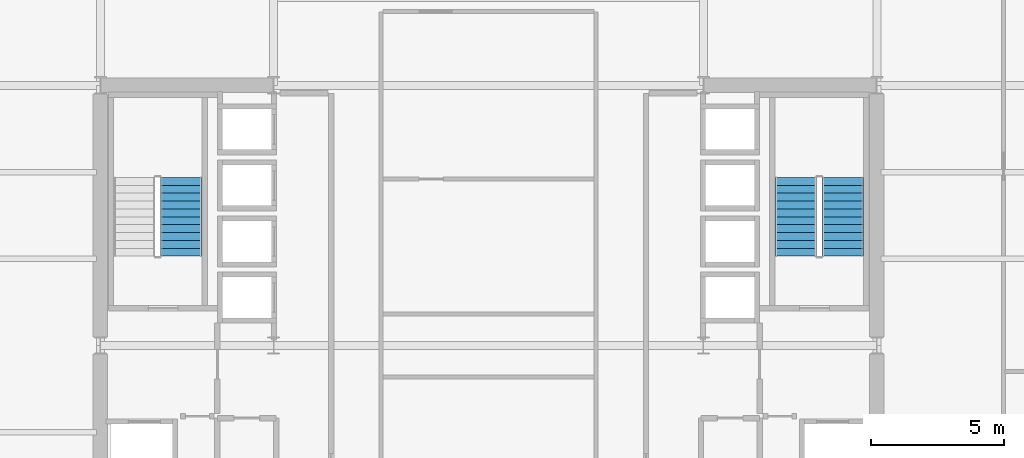
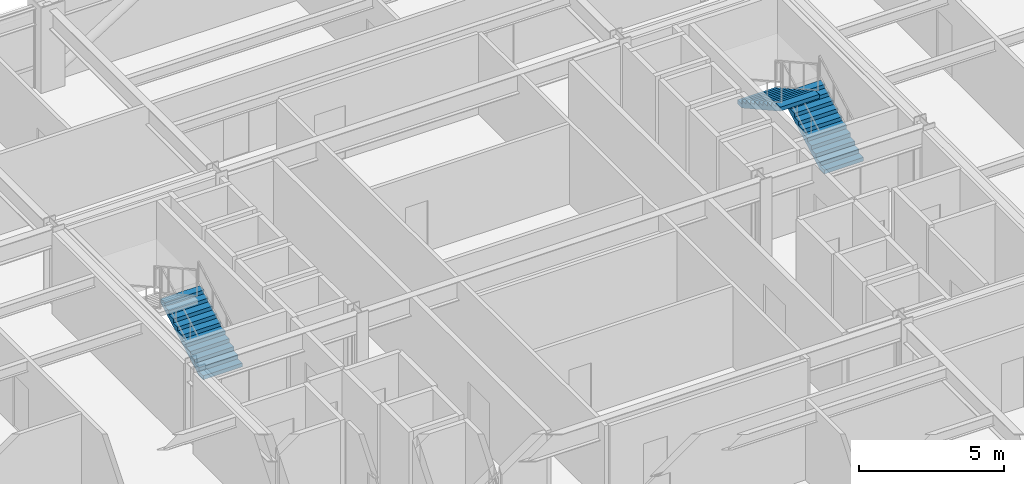
# One storey, part 31 of 34: 3 stair flights, 2 elements without a shape of their own.
"""IFC4 building model written with IfcOpenShell, lengths in metres."""

from ifc_helpers import new_model, si_unit, direction, frame, origin, place, context, subcontext, project, spatial, polyline, outline, extrude, material, type_object, element, aggregate, save


model = new_model("IFC4")

# Units and contexts
model_context = context("Model", 3, precision=1e-05, world=origin(), true_north=direction((0.0, 1.0)))
body_context = subcontext(model_context, "Body", "Model", "MODEL_VIEW")
ifc_project = project(units=[si_unit("LENGTHUNIT", "METRE"), si_unit("AREAUNIT", "SQUARE_METRE"), si_unit("VOLUMEUNIT", "CUBIC_METRE"), si_unit("PLANEANGLEUNIT", "RADIAN"), si_unit("MASSUNIT", "GRAM", prefix="KILO")], contexts=[model_context])

# Site, building, storey
site_placement = place(None, origin())
site = spatial("IfcSite", under=ifc_project, at=site_placement, CompositionType="ELEMENT")
building_placement = place(site_placement, origin())
building = spatial("IfcBuilding", under=site, at=building_placement, Name="Brelmoor Portico Tower", CompositionType="ELEMENT")
storey_placement = place(building_placement, frame((0.0, 0.0, 45.60009765625)))
storey = spatial("IfcBuildingStorey", under=building, at=storey_placement, Name="L11", CompositionType="ELEMENT", Elevation=45.60009765625)

# Stair, stair flight
ifc_material = material(Name="Concrete C40", Category="concrete")
stair_type_1 = type_object("IfcStairType", Name="ST-CORE-W", PredefinedType="HALF_TURN_STAIR", material=ifc_material)
stair_1_placement = place(storey_placement, origin())
stair_1 = element("IfcStair", 1, at=stair_1_placement, inside=storey, type_object=stair_type_1, Name="L11 Protected Core Exit Stair ST-W", PredefinedType="HALF_TURN_STAIR")
stair_flight_type = type_object("IfcStairFlightType", Name="SF-CORE-1850", PredefinedType="STRAIGHT", material=ifc_material)
stair_flight_1_placement = place(storey_placement, frame((-11.510009765625, 3.35009765625, 0.0), z_axis=(0.0, 0.0, 1.0), x_axis=(0.0, 1.0, 0.0)))
stair_flight_1 = element("IfcStairFlight", 2, at=stair_flight_1_placement, type_object=stair_flight_type, Name="ST-W flight 1", NumberOfRisers=11, NumberOfTreads=10, PredefinedType="STRAIGHT", RiserHeight=0.163636364, TreadLength=0.295, context=body_context, shape_type="SweptSolid", body=[
    extrude(outline(polyline([(0.0, 0.0), (0.0, 0.16357421875), (0.294921875, 0.16357421875), (0.294921875, 0.327392578125), (0.590087890625, 0.327392578125), (0.590087890625, 0.490966796875), (0.885009765625, 0.490966796875), (0.885009765625, 0.654541015625), (1.179931640625, 0.654541015625), (1.179931640625, 0.818115234375), (1.47509765625, 0.818115234375), (1.47509765625, 0.98193359375), (1.77001953125, 0.98193359375), (1.77001953125, 1.1455078125), (2.06494140625, 1.1455078125), (2.06494140625, 1.30908203125), (2.360107421875, 1.30908203125), (2.360107421875, 1.47265625), (2.655029296875, 1.47265625), (2.655029296875, 1.636474609375), (2.949951171875, 1.636474609375), (2.949951171875, 1.800048828125), (2.949951171875, 1.46484375), (0.30908203125, 0.0), (0.0, 0.0)])), frame((0.0, 0.780029296875, 0.0), z_axis=(0.0, -1.0, 0.0), x_axis=(1.0, 0.0, 0.0)), (0.0, 0.0, 1.0), 1.56005859375),
])
aggregate(stair_1, [stair_flight_1])

# Stair, stair flights
stair_type_2 = type_object("IfcStairType", Name="ST-CORE-E", PredefinedType="HALF_TURN_STAIR", material=ifc_material)
stair_2_placement = place(storey_placement, origin())
stair_2 = element("IfcStair", 3, at=stair_2_placement, inside=storey, type_object=stair_type_2, Name="L11 Protected Core Exit Stair ST-E", PredefinedType="HALF_TURN_STAIR")
stair_flight_2_placement = place(storey_placement, frame((13.27001953125, 3.35009765625, 0.0), z_axis=(0.0, 0.0, 1.0), x_axis=(0.0, 1.0, 0.0)))
stair_flight_2 = element("IfcStairFlight", 4, at=stair_flight_2_placement, type_object=stair_flight_type, Name="ST-E flight 1", NumberOfRisers=11, NumberOfTreads=10, PredefinedType="STRAIGHT", RiserHeight=0.163636364, TreadLength=0.295, context=body_context, shape_type="SweptSolid", body=[
    extrude(outline(polyline([(0.0, 0.0), (0.0, 0.16357421875), (0.294921875, 0.16357421875), (0.294921875, 0.327392578125), (0.590087890625, 0.327392578125), (0.590087890625, 0.490966796875), (0.885009765625, 0.490966796875), (0.885009765625, 0.654541015625), (1.179931640625, 0.654541015625), (1.179931640625, 0.818115234375), (1.47509765625, 0.818115234375), (1.47509765625, 0.98193359375), (1.77001953125, 0.98193359375), (1.77001953125, 1.1455078125), (2.06494140625, 1.1455078125), (2.06494140625, 1.30908203125), (2.360107421875, 1.30908203125), (2.360107421875, 1.47265625), (2.655029296875, 1.47265625), (2.655029296875, 1.636474609375), (2.949951171875, 1.636474609375), (2.949951171875, 1.800048828125), (2.949951171875, 1.46484375), (0.30908203125, 0.0), (0.0, 0.0)])), frame((0.0, 0.780029296875, 0.0), z_axis=(0.0, -1.0, 0.0), x_axis=(1.0, 0.0, 0.0)), (0.0, 0.0, 1.0), 1.56005859375),
])
stair_flight_3_placement = place(storey_placement, frame((11.510009765625, 6.300048828125, 1.7998046875), z_axis=(0.0, 0.0, 1.0), x_axis=(0.0, -1.0, 0.0)))
stair_flight_3 = element("IfcStairFlight", 5, at=stair_flight_3_placement, type_object=stair_flight_type, Name="ST-E flight 2", NumberOfRisers=11, NumberOfTreads=10, PredefinedType="STRAIGHT", RiserHeight=0.163636364, TreadLength=0.295, context=body_context, shape_type="SweptSolid", body=[
    extrude(outline(polyline([(0.0, 0.0), (0.0, 0.16357421875), (0.294921875, 0.16357421875), (0.294921875, 0.327392578125), (0.590087890625, 0.327392578125), (0.590087890625, 0.490966796875), (0.885009765625, 0.490966796875), (0.885009765625, 0.654541015625), (1.179931640625, 0.654541015625), (1.179931640625, 0.818115234375), (1.47509765625, 0.818115234375), (1.47509765625, 0.98193359375), (1.77001953125, 0.98193359375), (1.77001953125, 1.1455078125), (2.06494140625, 1.1455078125), (2.06494140625, 1.30908203125), (2.360107421875, 1.30908203125), (2.360107421875, 1.47265625), (2.655029296875, 1.47265625), (2.655029296875, 1.636474609375), (2.949951171875, 1.636474609375), (2.949951171875, 1.800048828125), (2.949951171875, 1.46484375), (0.30908203125, 0.0), (0.0, 0.0)])), frame((0.0, 0.780029296875, 0.0), z_axis=(0.0, -1.0, 0.0), x_axis=(1.0, 0.0, 0.0)), (0.0, 0.0, 1.0), 1.56005859375),
])
aggregate(stair_2, [stair_flight_2, stair_flight_3])

save(model, "model.ifc")
